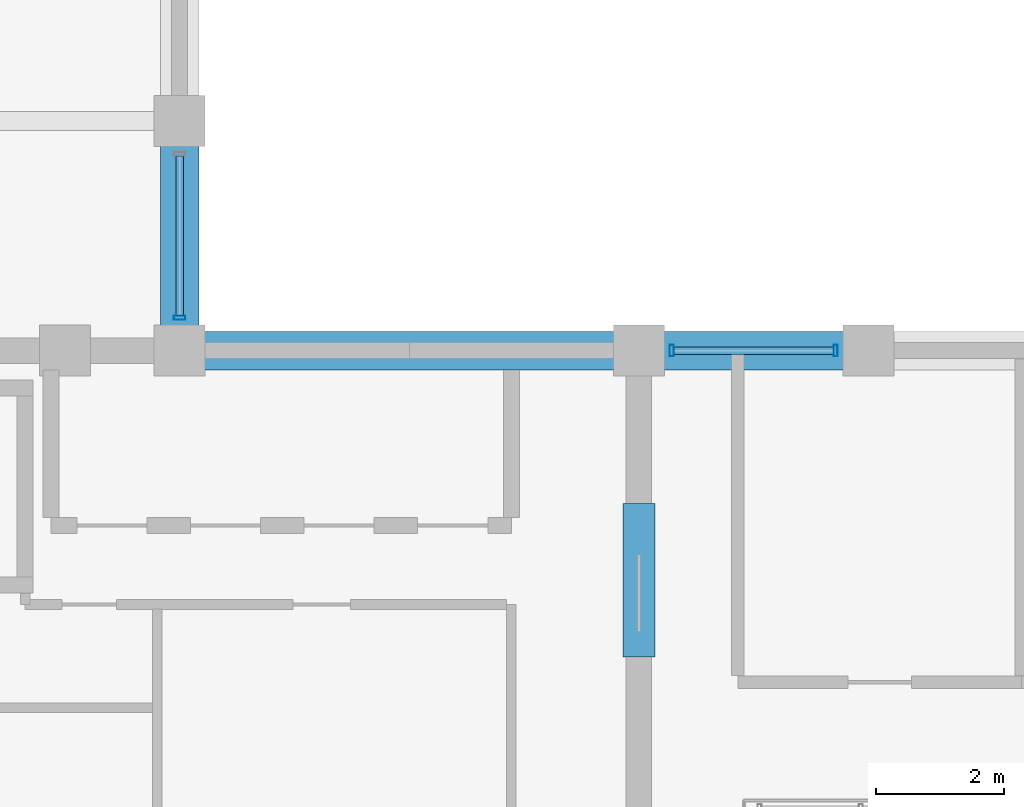
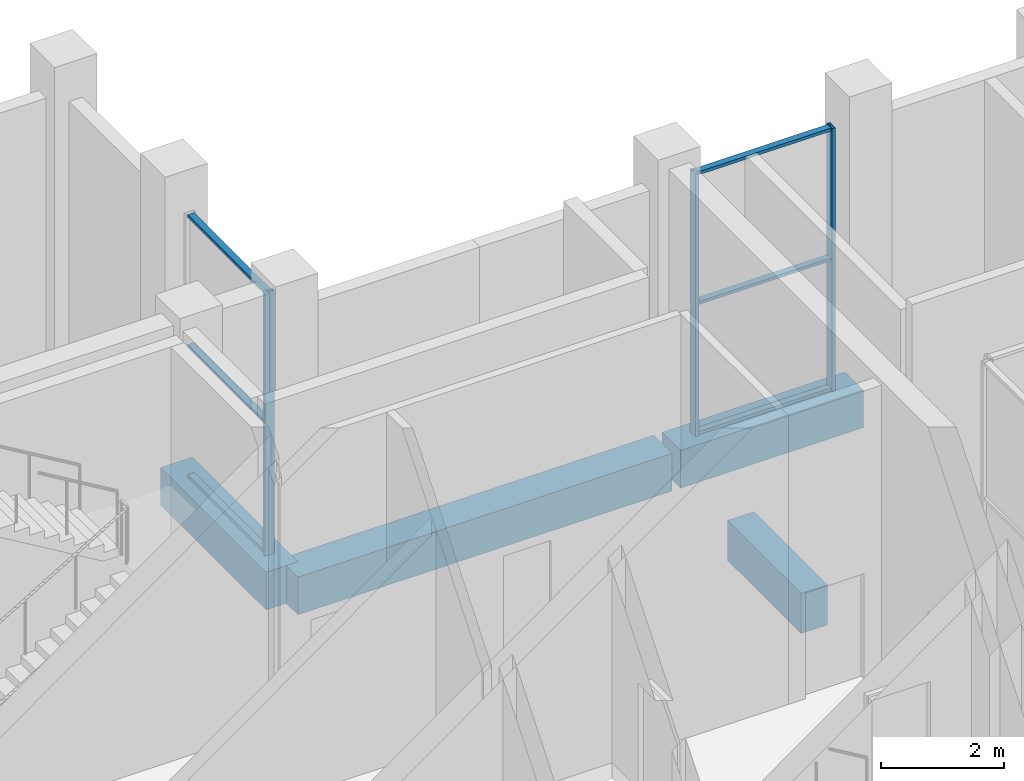
# One storey, part 8 of 17: 9 members, 4 beams, 2 elements without a shape of their own.
"""IFC4 building model written with IfcOpenShell, lengths in metres."""

from ifc_helpers import new_model, si_unit, direction, frame, origin, origin_2d, place, context, subcontext, project, spatial, rectangle, hollow_rectangle, extrude, material, layer, layer_set, material_profile, profile_set, type_object, element, aggregate, save


model = new_model("IFC4")

# Units and contexts
model_context = context("Model", 3, precision=1e-05, world=origin(), true_north=direction((0.0, 1.0)))
body_context = subcontext(model_context, "Body", "Model", "MODEL_VIEW")
ifc_project = project(units=[si_unit("LENGTHUNIT", "METRE"), si_unit("AREAUNIT", "SQUARE_METRE"), si_unit("VOLUMEUNIT", "CUBIC_METRE"), si_unit("PLANEANGLEUNIT", "RADIAN"), si_unit("MASSUNIT", "GRAM", prefix="KILO")], contexts=[model_context])

# Site, building, storey
site_placement = place(None, origin())
site = spatial("IfcSite", under=ifc_project, at=site_placement, CompositionType="ELEMENT")
building_placement = place(site_placement, origin())
building = spatial("IfcBuilding", under=site, at=building_placement, Name="Solnavia Interchange Tower", CompositionType="ELEMENT")
storey_placement = place(building_placement, frame((0.0, 0.0, 249.800048828125)))
storey = spatial("IfcBuildingStorey", under=building, at=storey_placement, Name="L63", CompositionType="ELEMENT", Elevation=249.800048828125)

# Beams
ifc_material_1 = material(Name="Concrete C50/60", Category="concrete")
ifc_material_profile_1 = material_profile(ifc_material_1, rectangle(XDim=0.5, YDim=0.800048828125, at=origin_2d()), Name="RC 500x800")
ifc_profile_set_1 = profile_set([ifc_material_profile_1], Name="Concrete C50/60")
beam_type_1 = type_object("IfcBeamType", Name="Beam-Coupling-RC500x800", PredefinedType="LINTEL", material=ifc_profile_set_1)
beam_1_placement = place(storey_placement, frame((32.39990234375, 20.39990234375, -0.400146484375), z_axis=(0.0, 1.0, 0.0), x_axis=(-1.0, 0.0, 0.0)))
element("IfcBeam", 1, at=beam_1_placement, inside=storey, type_object=beam_type_1, Name="CPB-L63-E2 Core coupling lintel beam", PredefinedType="LINTEL", context=body_context, shape_type="SweptSolid", body=[
    extrude(rectangle(XDim=0.5, YDim=0.800048828125, at=origin_2d()), origin(), (0.0, 0.0, 1.0), 2.400146484375),
])
ifc_material_profile_2 = material_profile(ifc_material_1, rectangle(XDim=0.60009765625, YDim=0.75, at=origin_2d()), Name="RC 600x750")
ifc_profile_set_2 = profile_set([ifc_material_profile_2], Name="Concrete C50/60")
beam_type_2 = type_object("IfcBeamType", Name="Beam-Spandrel-RC600x750", PredefinedType="SPANDREL", material=ifc_profile_set_2)
beam_2_placement = place(storey_placement, frame((35.919921875, 25.199951171875, -0.375), z_axis=(-1.0, 0.0, 0.0), x_axis=(0.0, -1.0, 0.0)))
element("IfcBeam", 2, at=beam_2_placement, inside=storey, type_object=beam_type_2, Name="SPB-L63-16 Framed-tube perimeter spandrel beam", PredefinedType="SPANDREL", context=body_context, shape_type="SweptSolid", body=[
    extrude(rectangle(XDim=0.60009765625, YDim=0.75, at=origin_2d()), origin(), (0.0, 0.0, 1.0), 3.43994140625),
])
beam_3_placement = place(storey_placement, frame((32.320068359375, 25.199951171875, -0.375), z_axis=(-1.0, 0.0, 0.0), x_axis=(0.0, -1.0, 0.0)))
element("IfcBeam", 3, at=beam_3_placement, inside=storey, type_object=beam_type_2, Name="SPB-L63-17 Framed-tube perimeter spandrel beam", PredefinedType="SPANDREL", context=body_context, shape_type="SweptSolid", body=[
    extrude(rectangle(XDim=0.60009765625, YDim=0.75, at=origin_2d()), origin(), (0.0, 0.0, 1.0), 7.0400390625),
])
beam_4_placement = place(storey_placement, frame((25.199951171875, 25.280029296875, -0.375), z_axis=(0.0, 1.0, 0.0), x_axis=(-1.0, 0.0, 0.0)))
element("IfcBeam", 4, at=beam_4_placement, inside=storey, type_object=beam_type_2, Name="SPB-L63-18 Framed-tube perimeter spandrel beam", PredefinedType="SPANDREL", context=body_context, shape_type="SweptSolid", body=[
    extrude(rectangle(XDim=0.60009765625, YDim=0.75, at=origin_2d()), origin(), (0.0, 0.0, 1.0), 3.43994140625),
])

# Curtain wall, members
ifc_material_2 = material(Name="Aluminium Alloy 6063-T6", Category="aluminium")
ifc_layer = layer(ifc_material_2, 0.199951171875)
ifc_layer_set = layer_set([ifc_layer], Name="Aluminium Alloy 6063-T6")
curtain_wall_type = type_object("IfcCurtainWallType", Name="CurtainWall-Louvre-CTW5", PredefinedType="NOTDEFINED", material=ifc_layer_set)
curtain_wall_1_placement = place(storey_placement, origin())
curtain_wall_1 = element("IfcCurtainWall", 5, at=curtain_wall_1_placement, inside=storey, type_object=curtain_wall_type, Name="CTW-L63-L18 CTW-5 curtain wall", PredefinedType="NOTDEFINED")
ifc_material_profile_3 = material_profile(ifc_material_2, hollow_rectangle(XDim=0.06494140625, YDim=0.179931640625, WallThickness=0.00439453125, at=origin_2d()), Name="ALU 180x65x4.5")
ifc_profile_set_3 = profile_set([ifc_material_profile_3], Name="Aluminium Alloy 6063-T6")
member_type_1 = type_object("IfcMemberType", Name="CW-Mullion-CWM-5", PredefinedType="MULLION", material=ifc_profile_set_3)
member_1_placement = place(storey_placement, frame((35.485107421875, 25.199951171875, 0.0), z_axis=(0.0, 0.0, 1.0), x_axis=(-1.0, 0.0, 0.0)))
member_1 = element("IfcMember", 6, at=member_1_placement, type_object=member_type_1, Name="CTW-5 mullion 1", PredefinedType="MULLION", context=body_context, shape_type="SweptSolid", body=[
    extrude(hollow_rectangle(XDim=0.06494140625, YDim=0.179931640625, WallThickness=0.00439453125, at=origin_2d()), origin(), (0.0, 0.0, 1.0), 5.22998046875),
])
member_2_placement = place(storey_placement, frame((32.9150390625, 25.199951171875, 0.0), z_axis=(0.0, 0.0, 1.0), x_axis=(-1.0, 0.0, 0.0)))
member_2 = element("IfcMember", 7, at=member_2_placement, type_object=member_type_1, Name="CTW-5 mullion 2", PredefinedType="MULLION", context=body_context, shape_type="SweptSolid", body=[
    extrude(hollow_rectangle(XDim=0.06494140625, YDim=0.179931640625, WallThickness=0.00439453125, at=origin_2d()), origin(), (0.0, 0.0, 1.0), 5.22998046875),
])

# Curtain wall, member
curtain_wall_2_placement = place(storey_placement, origin())
curtain_wall_2 = element("IfcCurtainWall", 8, at=curtain_wall_2_placement, inside=storey, type_object=curtain_wall_type, Name="CTW-L63-L21 CTW-5 curtain wall", PredefinedType="NOTDEFINED")
member_3_placement = place(storey_placement, frame((25.199951171875, 25.715087890625, 0.0), z_axis=(0.0, 0.0, 1.0), x_axis=(0.0, 1.0, 0.0)))
member_3 = element("IfcMember", 9, at=member_3_placement, type_object=member_type_1, Name="CTW-5 mullion 1", PredefinedType="MULLION", context=body_context, shape_type="SweptSolid", body=[
    extrude(hollow_rectangle(XDim=0.06494140625, YDim=0.179931640625, WallThickness=0.00439453125, at=origin_2d()), origin(), (0.0, 0.0, 1.0), 5.22998046875),
])

# Member
ifc_material_profile_4 = material_profile(ifc_material_2, hollow_rectangle(XDim=0.06005859375, YDim=0.1201171875, WallThickness=0.00390625, at=origin_2d()), Name="ALU 120x60x4")
ifc_profile_set_4 = profile_set([ifc_material_profile_4], Name="Aluminium Alloy 6063-T6")
member_type_2 = type_object("IfcMemberType", Name="CW-Transom-CWT-5", PredefinedType="USERDEFINED", material=ifc_profile_set_4)
member_4_placement = place(storey_placement, frame((35.452392578125, 25.199951171875, 0.030029296875), z_axis=(-1.0, 0.0, 0.0), x_axis=(0.0, 0.0, 1.0)))
member_4 = element("IfcMember", 10, at=member_4_placement, type_object=member_type_2, Name="CTW-5 transom 1.1", ObjectType="TRANSOM", PredefinedType="USERDEFINED", context=body_context, shape_type="SweptSolid", body=[
    extrude(hollow_rectangle(XDim=0.06005859375, YDim=0.1201171875, WallThickness=0.00390625, at=origin_2d()), origin(), (0.0, 0.0, 1.0), 2.5048828125),
])

member_5_placement = place(storey_placement, frame((35.452392578125, 25.199951171875, 2.614990234375), z_axis=(-1.0, 0.0, 0.0), x_axis=(0.0, 0.0, 1.0)))
member_5 = element("IfcMember", 11, at=member_5_placement, type_object=member_type_2, Name="CTW-5 transom 1.2", ObjectType="TRANSOM", PredefinedType="USERDEFINED", context=body_context, shape_type="SweptSolid", body=[
    extrude(hollow_rectangle(XDim=0.06005859375, YDim=0.1201171875, WallThickness=0.00390625, at=origin_2d()), origin(), (0.0, 0.0, 1.0), 2.5048828125),
])

member_6_placement = place(storey_placement, frame((35.452392578125, 25.199951171875, 5.199951171875), z_axis=(-1.0, 0.0, 0.0), x_axis=(0.0, 0.0, 1.0)))
member_6 = element("IfcMember", 12, at=member_6_placement, type_object=member_type_2, Name="CTW-5 transom 1.3", ObjectType="TRANSOM", PredefinedType="USERDEFINED", context=body_context, shape_type="SweptSolid", body=[
    extrude(hollow_rectangle(XDim=0.06005859375, YDim=0.1201171875, WallThickness=0.00390625, at=origin_2d()), origin(), (0.0, 0.0, 1.0), 2.5048828125),
])

aggregate(curtain_wall_1, [member_1, member_2, member_4, member_5, member_6])

member_7_placement = place(storey_placement, frame((25.199951171875, 25.74755859375, 0.030029296875), z_axis=(0.0, 1.0, 0.0), x_axis=(0.0, 0.0, 1.0)))
member_7 = element("IfcMember", 13, at=member_7_placement, type_object=member_type_2, Name="CTW-5 transom 1.1", ObjectType="TRANSOM", PredefinedType="USERDEFINED", context=body_context, shape_type="SweptSolid", body=[
    extrude(hollow_rectangle(XDim=0.06005859375, YDim=0.1201171875, WallThickness=0.00390625, at=origin_2d()), origin(), (0.0, 0.0, 1.0), 2.5048828125),
])

member_8_placement = place(storey_placement, frame((25.199951171875, 25.74755859375, 2.614990234375), z_axis=(0.0, 1.0, 0.0), x_axis=(0.0, 0.0, 1.0)))
member_8 = element("IfcMember", 14, at=member_8_placement, type_object=member_type_2, Name="CTW-5 transom 1.2", ObjectType="TRANSOM", PredefinedType="USERDEFINED", context=body_context, shape_type="SweptSolid", body=[
    extrude(hollow_rectangle(XDim=0.06005859375, YDim=0.1201171875, WallThickness=0.00390625, at=origin_2d()), origin(), (0.0, 0.0, 1.0), 2.5048828125),
])

member_9_placement = place(storey_placement, frame((25.199951171875, 25.74755859375, 5.199951171875), z_axis=(0.0, 1.0, 0.0), x_axis=(0.0, 0.0, 1.0)))
member_9 = element("IfcMember", 15, at=member_9_placement, type_object=member_type_2, Name="CTW-5 transom 1.3", ObjectType="TRANSOM", PredefinedType="USERDEFINED", context=body_context, shape_type="SweptSolid", body=[
    extrude(hollow_rectangle(XDim=0.06005859375, YDim=0.1201171875, WallThickness=0.00390625, at=origin_2d()), origin(), (0.0, 0.0, 1.0), 2.5048828125),
])

aggregate(curtain_wall_2, [member_3, member_7, member_8, member_9])

save(model, "model.ifc")
